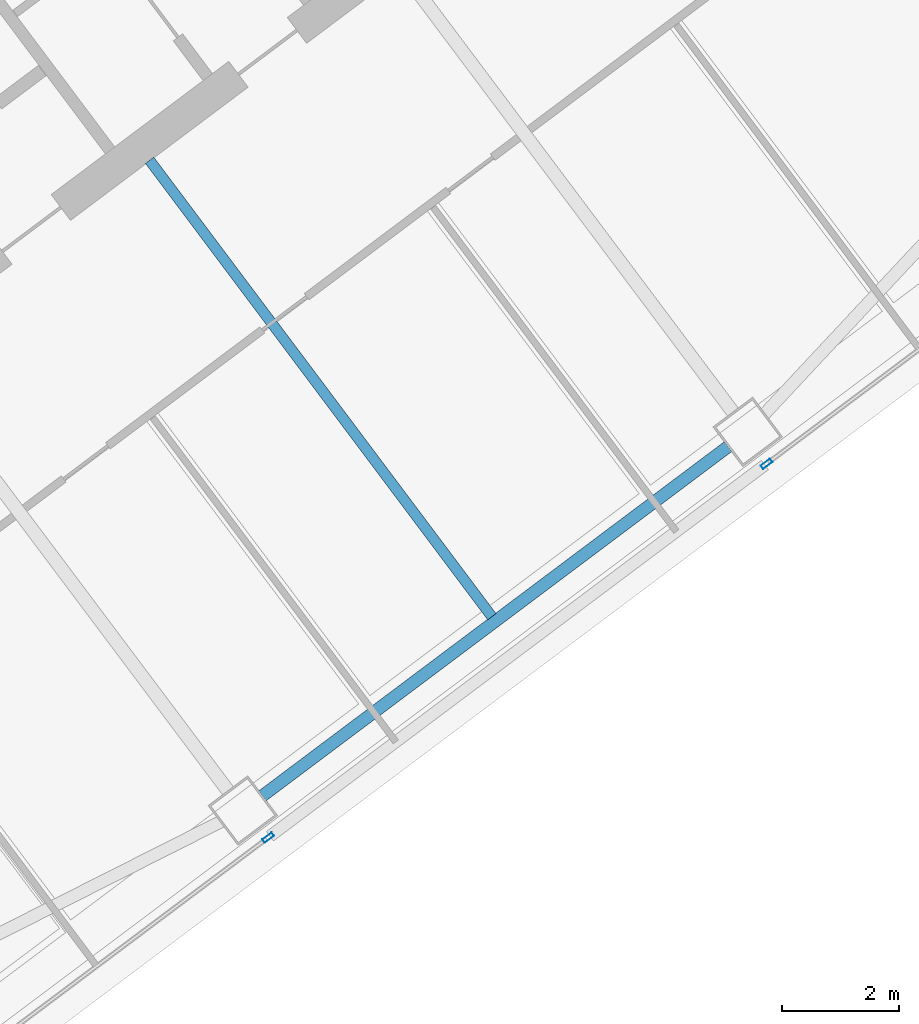
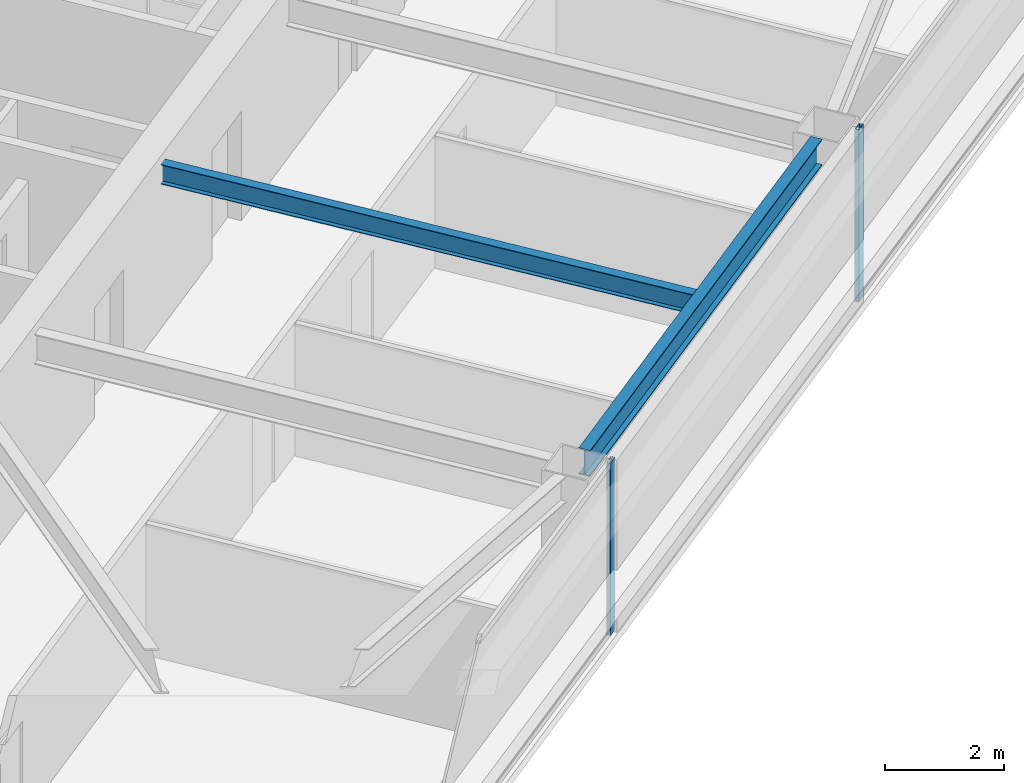
# One storey, part 22 of 41: 2 beams, 2 members, 2 elements without a shape of their own.
"""IFC4 building model written with IfcOpenShell, lengths in metres."""

import ifcopenshell
import ifcopenshell.guid

model = None  # the IFC model being written
_history = None  # IfcOwnerHistory: only IFC2X3 demands one
_inside = {}  # id of a spatial element -> (the spatial element, [elements in it])
_under = {}  # id of a project, library or spatial element -> (it, [spatial elements below it])
_declared = {}  # id of a project -> (the project, [libraries it declares])
_typed = {}  # id of a type object -> (the type object, [elements of that type])
_made_of = {}  # id of a material, layer set ... -> (it, [elements and type objects made of it])


def new_model(schema):
    """Start an empty IFC model of exactly this schema.

    Asked for "IFC4X3", IfcOpenShell would pick the latest addendum, in which some entities
    have other attributes; the version numbers below select the first issue.
    IFC2X3 requires an IfcOwnerHistory on every rooted entity: one is made here for all.
    """
    global model, _history
    if schema == "IFC4X3":
        model = ifcopenshell.file(schema_version=(4, 3, 0, 0))
    else:
        model = ifcopenshell.file(schema=schema)
    _inside.clear()
    _under.clear()
    _declared.clear()
    _typed.clear()
    _made_of.clear()
    _history = None
    if model.schema == "IFC2X3":
        org = make("IfcOrganization", Name="unknown")
        user = make(
            "IfcPersonAndOrganization",
            ThePerson=make("IfcPerson", FamilyName="unknown"),
            TheOrganization=org,
        )
        app = make(
            "IfcApplication",
            ApplicationDeveloper=org,
            Version="unknown",
            ApplicationFullName="unknown",
            ApplicationIdentifier="unknown",
        )
        _history = make(
            "IfcOwnerHistory",
            OwningUser=user,
            OwningApplication=app,
            ChangeAction="ADDED",
            CreationDate=0,
        )
    return model


def make(cls, **values):
    """One entity of the class cls with the attributes given. An attribute that is None is left unset."""
    return model.create_entity(
        cls, **{name: value for name, value in values.items() if value is not None}
    )


def rooted(cls, **values):
    """An entity with a GlobalId (a new one), such as an element, a storey or a relation."""
    return make(cls, GlobalId=ifcopenshell.guid.new(), OwnerHistory=_history, **values)


def si_unit(unit_type, name, prefix=None):
    """IfcSIUnit, for example si_unit("LENGTHUNIT", "METRE", prefix="MILLI")."""
    return make("IfcSIUnit", UnitType=unit_type, Prefix=prefix, Name=name)


def assignment(units):
    """IfcUnitAssignment: the units of a project."""
    return None if units is None else make("IfcUnitAssignment", Units=units)


def point(xyz):
    """IfcCartesianPoint."""
    return None if xyz is None else make("IfcCartesianPoint", Coordinates=xyz)


def direction(xyz):
    """IfcDirection."""
    return None if xyz is None else make("IfcDirection", DirectionRatios=xyz)


def frame(location, z_axis=None, x_axis=None):
    """IfcAxis2Placement3D, a coordinate frame: its origin and axes. An axis left out is left unset."""
    return make(
        "IfcAxis2Placement3D",
        Location=point(location),
        Axis=direction(z_axis),
        RefDirection=direction(x_axis),
    )


def frame_2d(location, x_axis=None):
    """IfcAxis2Placement2D, a coordinate frame in the plane: its origin and x axis."""
    return make(
        "IfcAxis2Placement2D", Location=point(location), RefDirection=direction(x_axis)
    )


def origin():
    """The frame at (0, 0, 0) with its axes left unset."""
    return frame((0.0, 0.0, 0.0))


def origin_2d():
    """The frame at (0, 0) in the plane with its x axis left unset."""
    return frame_2d((0.0, 0.0))


def place(relative_to, where):
    """IfcLocalPlacement: puts the frame where relative to a parent placement (None: the world)."""
    return make(
        "IfcLocalPlacement", PlacementRelTo=relative_to, RelativePlacement=where
    )


def context(
    kind, dimensions, precision=None, world=None, true_north=None, identifier=None
):
    """IfcGeometricRepresentationContext, for example the 3D "Model" context."""
    return make(
        "IfcGeometricRepresentationContext",
        ContextIdentifier=identifier,
        ContextType=kind,
        CoordinateSpaceDimension=dimensions,
        Precision=precision,
        WorldCoordinateSystem=world,
        TrueNorth=true_north,
    )


def subcontext(parent, identifier, kind, view, scale=None):
    """IfcGeometricRepresentationSubContext, for example "Body" below "Model"."""
    return make(
        "IfcGeometricRepresentationSubContext",
        ContextIdentifier=identifier,
        ContextType=kind,
        ParentContext=parent,
        TargetScale=scale,
        TargetView=view,
    )


def project(units=None, contexts=None):
    """IfcProject with its units and contexts."""
    return rooted(
        "IfcProject",
        Name="project",
        RepresentationContexts=contexts,
        UnitsInContext=assignment(units),
    )


def spatial(cls, under=None, at=None, **own):
    """A site, building, storey or space (cls), placed at a placement, below another one or the project."""
    s = rooted(cls, ObjectPlacement=at, **own)
    if under is not None:
        _under.setdefault(under.id(), (under, []))[1].append(s)
    return s


def profile(cls, at=None, kind="AREA", **sizes):
    """A parametric profile (cls). Its sizes go by their IFC names, for example OverallWidth=200.0."""
    return make(cls, ProfileType=kind, Position=at, **sizes)


def hollow_rectangle(**sizes):
    """IfcRectangleHollowProfileDef."""
    return profile("IfcRectangleHollowProfileDef", **sizes)


def i_section(**sizes):
    """IfcIShapeProfileDef."""
    return profile("IfcIShapeProfileDef", **sizes)


def extrude(swept, where, along, depth):
    """IfcExtrudedAreaSolid: the profile swept, set in the frame where, extruded along a direction by depth."""
    return make(
        "IfcExtrudedAreaSolid",
        SweptArea=swept,
        Position=where,
        ExtrudedDirection=direction(along),
        Depth=depth,
    )


def shape(context_of_items, identifier, shape_type, items):
    """IfcShapeRepresentation: the items that make up one representation, for example the "Body"."""
    return make(
        "IfcShapeRepresentation",
        ContextOfItems=context_of_items,
        RepresentationIdentifier=identifier,
        RepresentationType=shape_type,
        Items=items,
    )


def material(Name=None, Category=None):
    """IfcMaterial."""
    return make("IfcMaterial", Name=Name, Category=Category)


def material_profile(
    of_material, cross_section, Name=None, Category=None, Priority=None
):
    """IfcMaterialProfile: a cross section and its material."""
    return make(
        "IfcMaterialProfile",
        Name=Name,
        Material=of_material,
        Profile=cross_section,
        Priority=Priority,
        Category=Category,
    )


def profile_set(profiles, Name=None, composite=None):
    """IfcMaterialProfileSet."""
    return make(
        "IfcMaterialProfileSet",
        Name=Name,
        MaterialProfiles=profiles,
        CompositeProfile=composite,
    )


def made_of(thing, what):
    """Note that an element or type object is made of a material, layer set ...; save() writes the relation."""
    if what is not None:
        _made_of.setdefault(what.id(), (what, []))[1].append(thing)
    return thing


def type_object(cls, material=None, **own):
    """A type object (cls), such as IfcWallType, which elements share."""
    return made_of(rooted(cls, **own), material)


def element(
    cls,
    number,
    at=None,
    inside=None,
    cuts=None,
    type_object=None,
    material=None,
    context=None,
    identifier="Body",
    shape_type=None,
    held_by="IfcProductDefinitionShape",
    body=None,
    shapes=None,
    **own,
):
    """One element of the class cls, such as IfcWall. Its Tag is "e" and its number.

    at: its placement. inside: the storey or other place that contains it. cuts: it is an
    opening in that element (IfcRelVoidsElement). A single representation is given by context,
    identifier, shape_type and body (its items); several are given by shapes. held_by: the class
    of the entity that holds the representations. save() writes the other relations.
    """
    e = rooted(cls, Tag="e%d" % number, ObjectPlacement=at, **own)
    if body is not None:
        shapes = [shape(context, identifier, shape_type, body)]
    if shapes is not None:
        e.Representation = make(held_by, Representations=shapes)
    if inside is not None:
        _inside.setdefault(inside.id(), (inside, []))[1].append(e)
    if cuts is not None:
        rooted(
            "IfcRelVoidsElement", RelatingBuildingElement=cuts, RelatedOpeningElement=e
        )
    if type_object is not None:
        _typed.setdefault(type_object.id(), (type_object, []))[1].append(e)
    return made_of(e, material)


def aggregate(whole, parts):
    """IfcRelAggregates: a whole, such as a stair, and the parts it consists of."""
    return rooted("IfcRelAggregates", RelatingObject=whole, RelatedObjects=parts)


def save(model, path):
    """Write the relations noted so far, then the file.

    IfcRelAggregates (storeys below a building ...), IfcRelContainedInSpatialStructure (elements
    in a storey), IfcRelDefinesByType, IfcRelAssociatesMaterial and IfcRelDeclares: one each for
    every whole, place, type object, material and project.
    """
    for whole, parts in _under.values():
        aggregate(whole, parts)
    for where, things in _inside.values():
        rooted(
            "IfcRelContainedInSpatialStructure",
            RelatedElements=things,
            RelatingStructure=where,
        )
    for kind, things in _typed.values():
        rooted("IfcRelDefinesByType", RelatedObjects=things, RelatingType=kind)
    for what, things in _made_of.values():
        rooted("IfcRelAssociatesMaterial", RelatedObjects=things, RelatingMaterial=what)
    for by, libraries in _declared.values():
        rooted("IfcRelDeclares", RelatingContext=by, RelatedDefinitions=libraries)
    model.write(path)


model = new_model("IFC4")

# Units and contexts
model_context = context("Model", 3, precision=1e-05, world=origin(), true_north=direction((0.0, 1.0)))
body_context = subcontext(model_context, "Body", "Model", "MODEL_VIEW")
ifc_project = project(units=[si_unit("LENGTHUNIT", "METRE"), si_unit("AREAUNIT", "SQUARE_METRE"), si_unit("VOLUMEUNIT", "CUBIC_METRE"), si_unit("PLANEANGLEUNIT", "RADIAN"), si_unit("MASSUNIT", "GRAM", prefix="KILO")], contexts=[model_context])

# Site, building, storey
site_placement = place(None, origin())
site = spatial("IfcSite", under=ifc_project, at=site_placement, CompositionType="ELEMENT")
building_placement = place(site_placement, origin())
building = spatial("IfcBuilding", under=site, at=building_placement, Name="Tashvorn Skyway Center", CompositionType="ELEMENT")
storey_placement = place(building_placement, frame((0.0, 0.0, 117.949951171875)))
storey = spatial("IfcBuildingStorey", under=building, at=storey_placement, Name="L31", CompositionType="ELEMENT", Elevation=117.949951171875)

# Beams
ifc_material_1 = material(Name="Steel ASTM A992 Grade 50", Category="steel")
ifc_material_profile_1 = material_profile(ifc_material_1, i_section(OverallWidth=0.177978515625, OverallDepth=0.406005859375, WebThickness=0.0078125, FlangeThickness=0.0126953125, at=origin_2d()), Name="W16X40")
ifc_profile_set_1 = profile_set([ifc_material_profile_1], Name="Steel ASTM A992 Grade 50")
beam_type_1 = type_object("IfcBeamType", Name="BM-JOIST-W16X40", PredefinedType="JOIST", material=ifc_profile_set_1)
beam_1_placement = place(storey_placement, frame((118.674072265625, 25.76806640625, 3.1669921875), z_axis=(0.599991997409, -0.800006001881, 0.0), x_axis=(0.800006001881, 0.599991997409, 0.0)))
element("IfcBeam", 1, at=beam_1_placement, inside=storey, type_object=beam_type_1, Name="Tower 2 L31 Secondary Composite Joist JS", PredefinedType="JOIST", context=body_context, shape_type="SweptSolid", body=[
    extrude(i_section(OverallWidth=0.177978515625, OverallDepth=0.406005859375, WebThickness=0.0078125, FlangeThickness=0.0126953125, at=origin_2d()), origin(), (0.0, 0.0, 1.0), 9.762451171875),
])
ifc_material_profile_2 = material_profile(ifc_material_1, i_section(OverallWidth=0.2109375, OverallDepth=0.5390625, WebThickness=0.01171875, FlangeThickness=0.018798828125, at=origin_2d()), Name="W21X73")
ifc_profile_set_2 = profile_set([ifc_material_profile_2], Name="Steel ASTM A992 Grade 50")
beam_type_2 = type_object("IfcBeamType", Name="BM-SPANDREL-W21X73", PredefinedType="SPANDREL", material=ifc_profile_set_2)
beam_2_placement = place(storey_placement, frame((120.60595703125, 14.89208984375, 3.1005859375), z_axis=(0.800008824351, 0.599988234018, 0.0), x_axis=(-0.599988234018, 0.800008824351, 0.0)))
element("IfcBeam", 2, at=beam_2_placement, inside=storey, type_object=beam_type_2, Name="Tower 2 L31 Spandrel Beam 02", PredefinedType="SPANDREL", context=body_context, shape_type="SweptSolid", body=[
    extrude(i_section(OverallWidth=0.2109375, OverallDepth=0.5390625, WebThickness=0.01171875, FlangeThickness=0.018798828125, at=origin_2d()), origin(), (0.0, 0.0, 1.0), 9.9599609375),
])

# Curtain wall, member
ifc_material_2 = material(Name="Thermally broken bronze-anodized aluminium 6063-T6", Category="aluminium")
curtain_wall_type = type_object("IfcCurtainWallType", Name="CW-CW-Z3", PredefinedType="NOTDEFINED", material=ifc_material_2)
curtain_wall_1_placement = place(storey_placement, origin())
curtain_wall_1 = element("IfcCurtainWall", 3, at=curtain_wall_1_placement, inside=storey, type_object=curtain_wall_type, Name="Tower 2 L31 South Unitised Curtain Wall Glazing Group 1", PredefinedType="NOTDEFINED")
ifc_material_profile_3 = material_profile(ifc_material_2, hollow_rectangle(XDim=0.074951171875, YDim=0.199951171875, WallThickness=0.00439453125, at=origin_2d()), Name="ALU-MULL-75x200")
ifc_profile_set_3 = profile_set([ifc_material_profile_3], Name="Thermally broken bronze-anodized aluminium 6063-T6")
member_type = type_object("IfcMemberType", Name="CWM-CW-Z3", PredefinedType="MULLION", material=ifc_profile_set_3)
member_1_placement = place(storey_placement, frame((129.232666015625, 20.574462890625, 0.0), z_axis=(0.0, 0.0, 1.0), x_axis=(0.600001511345, -0.799998866489, 0.0)))
member_1 = element("IfcMember", 4, at=member_1_placement, type_object=member_type, Name="CW-Z3 mullion 2", PredefinedType="MULLION", context=body_context, shape_type="SweptSolid", body=[
    extrude(hollow_rectangle(XDim=0.074951171875, YDim=0.199951171875, WallThickness=0.00439453125, at=origin_2d()), origin(), (0.0, 0.0, 1.0), 3.550048828125),
])
aggregate(curtain_wall_1, [member_1])

curtain_wall_2_placement = place(storey_placement, origin())
curtain_wall_2 = element("IfcCurtainWall", 5, at=curtain_wall_2_placement, inside=storey, type_object=curtain_wall_type, Name="Tower 2 L31 South Unitised Curtain Wall Glazing Group 2", PredefinedType="NOTDEFINED")
member_2_placement = place(storey_placement, frame((120.703369140625, 14.177490234375, 0.0), z_axis=(0.0, 0.0, 1.0), x_axis=(0.600001511345, -0.799998866489, 0.0)))
member_2 = element("IfcMember", 6, at=member_2_placement, type_object=member_type, Name="CW-Z3 mullion 1", PredefinedType="MULLION", context=body_context, shape_type="SweptSolid", body=[
    extrude(hollow_rectangle(XDim=0.074951171875, YDim=0.199951171875, WallThickness=0.00439453125, at=origin_2d()), origin(), (0.0, 0.0, 1.0), 3.550048828125),
])
aggregate(curtain_wall_2, [member_2])

save(model, "model.ifc")
